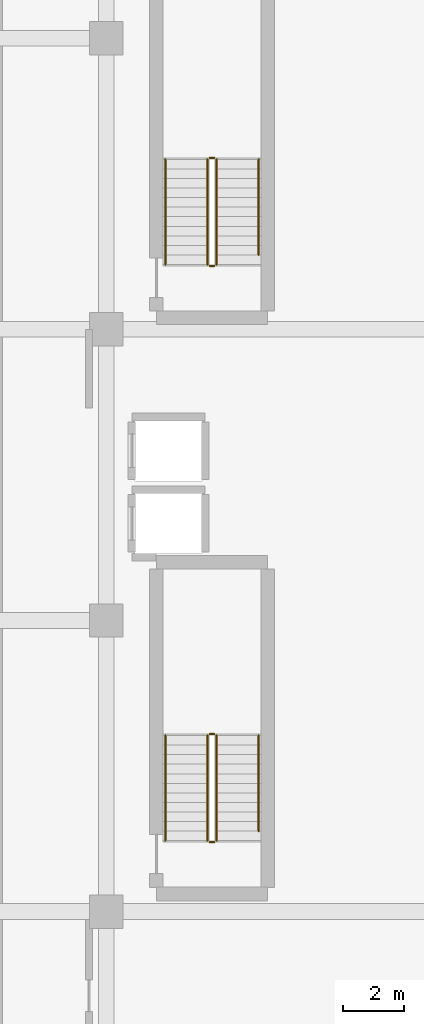
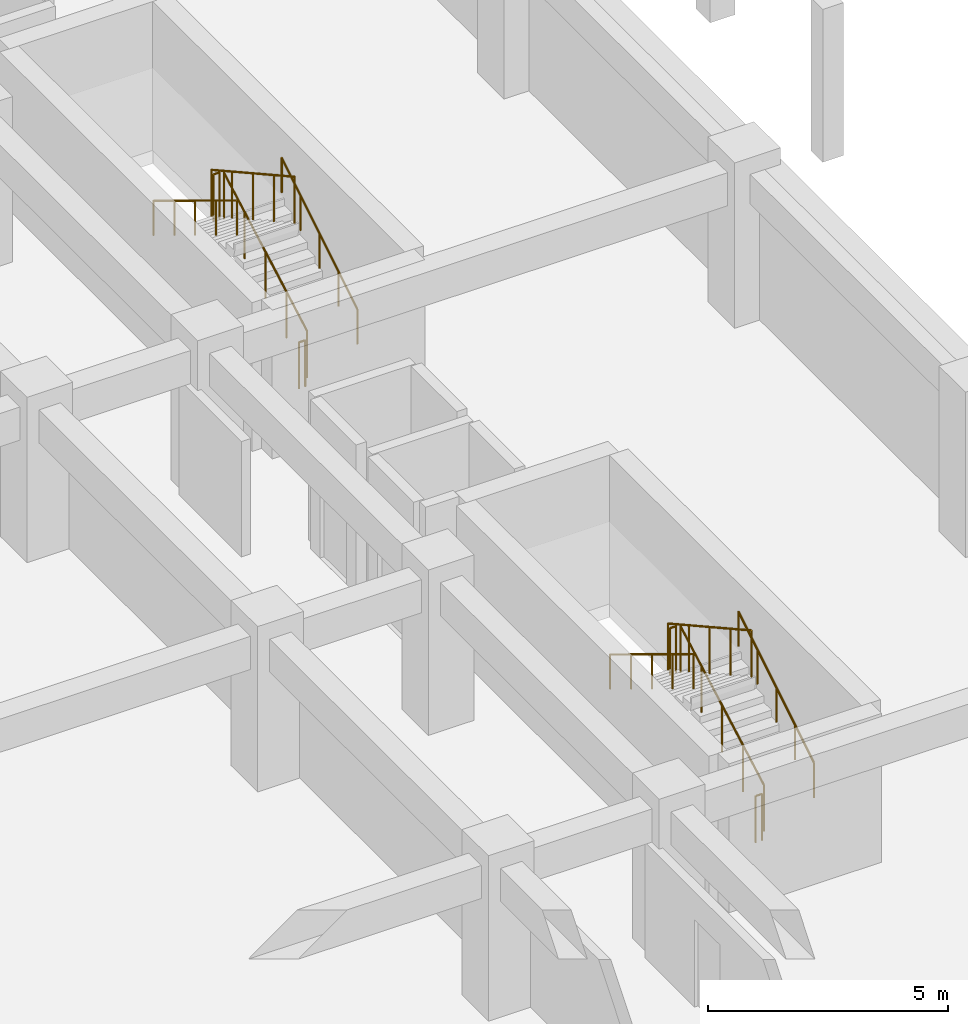
# One storey, part 36 of 39: 12 railings.
"""IFC4 building model written with IfcOpenShell, lengths in metres."""

from ifc_helpers import new_model, si_unit, direction, frame, origin, origin_2d, place, context, subcontext, project, spatial, circle, extrude, material, type_object, element, save


model = new_model("IFC4")

# Units and contexts
model_context = context("Model", 3, precision=1e-05, world=origin(), true_north=direction((0.0, 1.0)))
body_context = subcontext(model_context, "Body", "Model", "MODEL_VIEW")
ifc_project = project(units=[si_unit("LENGTHUNIT", "METRE"), si_unit("AREAUNIT", "SQUARE_METRE"), si_unit("VOLUMEUNIT", "CUBIC_METRE"), si_unit("PLANEANGLEUNIT", "RADIAN"), si_unit("MASSUNIT", "GRAM", prefix="KILO")], contexts=[model_context])

# Site, building, storey
site_placement = place(None, origin())
site = spatial("IfcSite", under=ifc_project, at=site_placement, CompositionType="ELEMENT")
building_placement = place(site_placement, origin())
building = spatial("IfcBuilding", under=site, at=building_placement, Name="Nakhvara Creek Congress Hotel", CompositionType="ELEMENT")
storey_placement = place(building_placement, frame((0.0, 0.0, -4.199951171875)))
storey = spatial("IfcBuildingStorey", under=building, at=storey_placement, Name="B1", CompositionType="ELEMENT", Elevation=-4.199951171875)

# Railings
ifc_material = material(Name="Brushed stainless steel 316L", Category="steel")
railing_type_1 = type_object("IfcRailingType", Name="RL-GUARD-1200", PredefinedType="GUARDRAIL", material=ifc_material)
railing_1_placement = place(storey_placement, frame((170.0849609375, 31.139892578125, 0.175048828125)))
element("IfcRailing", 1, at=railing_1_placement, inside=storey, type_object=railing_type_1, Name="B1 ST03 stair guard 1", PredefinedType="GUARDRAIL", context=body_context, shape_type="SweptSolid", body=[
    extrude(circle(Radius=0.02392578125, at=origin_2d()), frame((0.0, 0.012939453125, 1.18310546875), z_axis=(0.0, 0.874183422646, 0.48559586445), x_axis=(-1.0, 0.0, 0.0)), (0.0, 0.0, 1.0), 3.934326171875),
    extrude(circle(Radius=0.02099609375, at=origin_2d()), origin(), (0.0, 0.0, 1.0), 1.1806640625),
    extrude(circle(Radius=0.02099609375, at=origin_2d()), frame((0.0, 0.8662109375, 0.481201171875)), (0.0, 0.0, 1.0), 1.1806640625),
    extrude(circle(Radius=0.02099609375, at=origin_2d()), frame((0.0, 1.732421875, 0.96240234375)), (0.0, 0.0, 1.0), 1.1806640625),
    extrude(circle(Radius=0.02099609375, at=origin_2d()), frame((0.0, 2.598876953125, 1.443603515625)), (0.0, 0.0, 1.0), 1.1806640625),
    extrude(circle(Radius=0.02099609375, at=origin_2d()), frame((0.0, 3.465087890625, 1.9248046875)), (0.0, 0.0, 1.0), 1.1806640625),
])
railing_2_placement = place(storey_placement, frame((170.010009765625, 34.655029296875, 2.099853515625)))
element("IfcRailing", 2, at=railing_2_placement, inside=storey, type_object=railing_type_1, Name="B1 ST03 stair guard 2", PredefinedType="GUARDRAIL", context=body_context, shape_type="SweptSolid", body=[
    extrude(circle(Radius=0.02392578125, at=origin_2d()), frame((-0.0146484375, 0.0, 1.17578125), z_axis=(-1.0, 0.0, 0.0), x_axis=(0.0, -1.0, 0.0)), (0.0, 0.0, 1.0), 0.12060546875),
    extrude(circle(Radius=0.02099609375, at=origin_2d()), origin(), (0.0, 0.0, 1.0), 1.1806640625),
    extrude(circle(Radius=0.02099609375, at=origin_2d()), frame((-0.14990234375, 0.0, 0.0)), (0.0, 0.0, 1.0), 1.1806640625),
])
railing_3_placement = place(storey_placement, frame((169.784912109375, 34.60498046875, 2.27490234375)))
element("IfcRailing", 3, at=railing_3_placement, inside=storey, type_object=railing_type_1, Name="B1 ST03 stair guard 3", PredefinedType="GUARDRAIL", context=body_context, shape_type="SweptSolid", body=[
    extrude(circle(Radius=0.02392578125, at=origin_2d()), frame((0.0, -0.012939453125, 1.18310546875), z_axis=(0.0, -0.874157276122, 0.485642931179), x_axis=(1.0, 0.0, 0.0)), (0.0, 0.0, 1.0), 3.9345703125),
    extrude(circle(Radius=0.02099609375, at=origin_2d()), origin(), (0.0, 0.0, 1.0), 1.1806640625),
    extrude(circle(Radius=0.02099609375, at=origin_2d()), frame((0.0, -0.8662109375, 0.481201171875)), (0.0, 0.0, 1.0), 1.1806640625),
    extrude(circle(Radius=0.02099609375, at=origin_2d()), frame((0.0, -1.732421875, 0.96240234375)), (0.0, 0.0, 1.0), 1.1806640625),
    extrude(circle(Radius=0.02099609375, at=origin_2d()), frame((0.0, -2.598876953125, 1.44384765625)), (0.0, 0.0, 1.0), 1.1806640625),
    extrude(circle(Radius=0.02099609375, at=origin_2d()), frame((0.0, -3.465087890625, 1.925048828125)), (0.0, 0.0, 1.0), 1.1806640625),
])
railing_4_placement = place(storey_placement, frame((170.010009765625, 31.090087890625, 0.0)))
element("IfcRailing", 4, at=railing_4_placement, inside=storey, type_object=railing_type_1, Name="B1 ST03 stair guard 4", PredefinedType="GUARDRAIL", context=body_context, shape_type="SweptSolid", body=[
    extrude(circle(Radius=0.02392578125, at=origin_2d()), frame((-0.0146484375, 0.0, 1.17578125), z_axis=(-1.0, 0.0, 0.0), x_axis=(0.0, -1.0, 0.0)), (0.0, 0.0, 1.0), 0.12060546875),
    extrude(circle(Radius=0.02099609375, at=origin_2d()), origin(), (0.0, 0.0, 1.0), 1.1806640625),
    extrude(circle(Radius=0.02099609375, at=origin_2d()), frame((-0.14990234375, 0.0, 0.0)), (0.0, 0.0, 1.0), 1.1806640625),
])
railing_5_placement = place(storey_placement, frame((170.0849609375, 50.139892578125, 0.175048828125)))
element("IfcRailing", 5, at=railing_5_placement, inside=storey, type_object=railing_type_1, Name="B1 ST04 stair guard 1", PredefinedType="GUARDRAIL", context=body_context, shape_type="SweptSolid", body=[
    extrude(circle(Radius=0.02392578125, at=origin_2d()), frame((0.0, 0.012939453125, 1.18310546875), z_axis=(0.0, 0.874183422646, 0.48559586445), x_axis=(-1.0, 0.0, 0.0)), (0.0, 0.0, 1.0), 3.934326171875),
    extrude(circle(Radius=0.02099609375, at=origin_2d()), origin(), (0.0, 0.0, 1.0), 1.1806640625),
    extrude(circle(Radius=0.02099609375, at=origin_2d()), frame((0.0, 0.8662109375, 0.481201171875)), (0.0, 0.0, 1.0), 1.1806640625),
    extrude(circle(Radius=0.02099609375, at=origin_2d()), frame((0.0, 1.732421875, 0.96240234375)), (0.0, 0.0, 1.0), 1.1806640625),
    extrude(circle(Radius=0.02099609375, at=origin_2d()), frame((0.0, 2.598876953125, 1.443603515625)), (0.0, 0.0, 1.0), 1.1806640625),
    extrude(circle(Radius=0.02099609375, at=origin_2d()), frame((0.0, 3.465087890625, 1.9248046875)), (0.0, 0.0, 1.0), 1.1806640625),
])
railing_6_placement = place(storey_placement, frame((170.010009765625, 53.655029296875, 2.099853515625)))
element("IfcRailing", 6, at=railing_6_placement, inside=storey, type_object=railing_type_1, Name="B1 ST04 stair guard 2", PredefinedType="GUARDRAIL", context=body_context, shape_type="SweptSolid", body=[
    extrude(circle(Radius=0.02392578125, at=origin_2d()), frame((-0.0146484375, 0.0, 1.17578125), z_axis=(-1.0, 0.0, 0.0), x_axis=(0.0, -1.0, 0.0)), (0.0, 0.0, 1.0), 0.12060546875),
    extrude(circle(Radius=0.02099609375, at=origin_2d()), origin(), (0.0, 0.0, 1.0), 1.1806640625),
    extrude(circle(Radius=0.02099609375, at=origin_2d()), frame((-0.14990234375, 0.0, 0.0)), (0.0, 0.0, 1.0), 1.1806640625),
])
railing_7_placement = place(storey_placement, frame((169.784912109375, 53.60498046875, 2.27490234375)))
element("IfcRailing", 7, at=railing_7_placement, inside=storey, type_object=railing_type_1, Name="B1 ST04 stair guard 3", PredefinedType="GUARDRAIL", context=body_context, shape_type="SweptSolid", body=[
    extrude(circle(Radius=0.02392578125, at=origin_2d()), frame((0.0, -0.012939453125, 1.18310546875), z_axis=(0.0, -0.874157276122, 0.485642931179), x_axis=(1.0, 0.0, 0.0)), (0.0, 0.0, 1.0), 3.9345703125),
    extrude(circle(Radius=0.02099609375, at=origin_2d()), origin(), (0.0, 0.0, 1.0), 1.1806640625),
    extrude(circle(Radius=0.02099609375, at=origin_2d()), frame((0.0, -0.8662109375, 0.481201171875)), (0.0, 0.0, 1.0), 1.1806640625),
    extrude(circle(Radius=0.02099609375, at=origin_2d()), frame((0.0, -1.732421875, 0.96240234375)), (0.0, 0.0, 1.0), 1.1806640625),
    extrude(circle(Radius=0.02099609375, at=origin_2d()), frame((0.0, -2.598876953125, 1.44384765625)), (0.0, 0.0, 1.0), 1.1806640625),
    extrude(circle(Radius=0.02099609375, at=origin_2d()), frame((0.0, -3.465087890625, 1.925048828125)), (0.0, 0.0, 1.0), 1.1806640625),
])
railing_8_placement = place(storey_placement, frame((170.010009765625, 50.090087890625, 0.0)))
element("IfcRailing", 8, at=railing_8_placement, inside=storey, type_object=railing_type_1, Name="B1 ST04 stair guard 4", PredefinedType="GUARDRAIL", context=body_context, shape_type="SweptSolid", body=[
    extrude(circle(Radius=0.02392578125, at=origin_2d()), frame((-0.0146484375, 0.0, 1.17578125), z_axis=(-1.0, 0.0, 0.0), x_axis=(0.0, -1.0, 0.0)), (0.0, 0.0, 1.0), 0.12060546875),
    extrude(circle(Radius=0.02099609375, at=origin_2d()), origin(), (0.0, 0.0, 1.0), 1.1806640625),
    extrude(circle(Radius=0.02099609375, at=origin_2d()), frame((-0.14990234375, 0.0, 0.0)), (0.0, 0.0, 1.0), 1.1806640625),
])
railing_type_2 = type_object("IfcRailingType", Name="RL-HAND-900", PredefinedType="HANDRAIL", material=ifc_material)
railing_9_placement = place(storey_placement, frame((171.47509765625, 31.455078125, 0.349853515625)))
element("IfcRailing", 9, at=railing_9_placement, inside=storey, type_object=railing_type_2, Name="B1 ST03 stair handrail 1", PredefinedType="HANDRAIL", context=body_context, shape_type="SweptSolid", body=[
    extrude(circle(Radius=0.02392578125, at=origin_2d()), frame((0.0, 0.012451171875, 0.883544921875), z_axis=(0.0, 0.85194385619, 0.523633140567), x_axis=(-1.0, 0.0, 0.0)), (0.0, 0.0, 1.0), 3.66796875),
    extrude(circle(Radius=0.02099609375, at=origin_2d()), origin(), (0.0, 0.0, 1.0), 0.880615234375),
    extrude(circle(Radius=0.02099609375, at=origin_2d()), frame((0.0, 0.78759765625, 0.48388671875)), (0.0, 0.0, 1.0), 0.880615234375),
    extrude(circle(Radius=0.02099609375, at=origin_2d()), frame((0.0, 1.574951171875, 0.968017578125)), (0.0, 0.0, 1.0), 0.880615234375),
    extrude(circle(Radius=0.02099609375, at=origin_2d()), frame((0.0, 2.3623046875, 1.4521484375)), (0.0, 0.0, 1.0), 0.880615234375),
    extrude(circle(Radius=0.02099609375, at=origin_2d()), frame((0.0, 3.14990234375, 1.93603515625)), (0.0, 0.0, 1.0), 0.880615234375),
])
railing_10_placement = place(storey_placement, frame((168.39501953125, 34.60498046875, 2.27490234375)))
element("IfcRailing", 10, at=railing_10_placement, inside=storey, type_object=railing_type_2, Name="B1 ST03 stair handrail 2", PredefinedType="HANDRAIL", context=body_context, shape_type="SweptSolid", body=[
    extrude(circle(Radius=0.02392578125, at=origin_2d()), frame((0.0, -0.012451171875, 0.883544921875), z_axis=(0.0, -0.853990507121, 0.520288586985), x_axis=(1.0, 0.0, 0.0)), (0.0, 0.0, 1.0), 4.028076171875),
    extrude(circle(Radius=0.02099609375, at=origin_2d()), origin(), (0.0, 0.0, 1.0), 0.880615234375),
    extrude(circle(Radius=0.02099609375, at=origin_2d()), frame((0.0, -0.8662109375, 0.52783203125)), (0.0, 0.0, 1.0), 0.880615234375),
    extrude(circle(Radius=0.02099609375, at=origin_2d()), frame((0.0, -1.732421875, 1.0556640625)), (0.0, 0.0, 1.0), 0.880615234375),
    extrude(circle(Radius=0.02099609375, at=origin_2d()), frame((0.0, -2.598876953125, 1.583251953125)), (0.0, 0.0, 1.0), 0.880615234375),
    extrude(circle(Radius=0.02099609375, at=origin_2d()), frame((0.0, -3.465087890625, 2.111083984375)), (0.0, 0.0, 1.0), 0.880615234375),
])
railing_11_placement = place(storey_placement, frame((171.47509765625, 50.455078125, 0.349853515625)))
element("IfcRailing", 11, at=railing_11_placement, inside=storey, type_object=railing_type_2, Name="B1 ST04 stair handrail 1", PredefinedType="HANDRAIL", context=body_context, shape_type="SweptSolid", body=[
    extrude(circle(Radius=0.02392578125, at=origin_2d()), frame((0.0, 0.012451171875, 0.883544921875), z_axis=(0.0, 0.85194385619, 0.523633140567), x_axis=(-1.0, 0.0, 0.0)), (0.0, 0.0, 1.0), 3.66796875),
    extrude(circle(Radius=0.02099609375, at=origin_2d()), origin(), (0.0, 0.0, 1.0), 0.880615234375),
    extrude(circle(Radius=0.02099609375, at=origin_2d()), frame((0.0, 0.78759765625, 0.48388671875)), (0.0, 0.0, 1.0), 0.880615234375),
    extrude(circle(Radius=0.02099609375, at=origin_2d()), frame((0.0, 1.574951171875, 0.968017578125)), (0.0, 0.0, 1.0), 0.880615234375),
    extrude(circle(Radius=0.02099609375, at=origin_2d()), frame((0.0, 2.3623046875, 1.4521484375)), (0.0, 0.0, 1.0), 0.880615234375),
    extrude(circle(Radius=0.02099609375, at=origin_2d()), frame((0.0, 3.14990234375, 1.93603515625)), (0.0, 0.0, 1.0), 0.880615234375),
])
railing_12_placement = place(storey_placement, frame((168.39501953125, 53.60498046875, 2.27490234375)))
element("IfcRailing", 12, at=railing_12_placement, inside=storey, type_object=railing_type_2, Name="B1 ST04 stair handrail 2", PredefinedType="HANDRAIL", context=body_context, shape_type="SweptSolid", body=[
    extrude(circle(Radius=0.02392578125, at=origin_2d()), frame((0.0, -0.012451171875, 0.883544921875), z_axis=(0.0, -0.853990507121, 0.520288586985), x_axis=(1.0, 0.0, 0.0)), (0.0, 0.0, 1.0), 4.028076171875),
    extrude(circle(Radius=0.02099609375, at=origin_2d()), origin(), (0.0, 0.0, 1.0), 0.880615234375),
    extrude(circle(Radius=0.02099609375, at=origin_2d()), frame((0.0, -0.8662109375, 0.52783203125)), (0.0, 0.0, 1.0), 0.880615234375),
    extrude(circle(Radius=0.02099609375, at=origin_2d()), frame((0.0, -1.732421875, 1.0556640625)), (0.0, 0.0, 1.0), 0.880615234375),
    extrude(circle(Radius=0.02099609375, at=origin_2d()), frame((0.0, -2.598876953125, 1.583251953125)), (0.0, 0.0, 1.0), 0.880615234375),
    extrude(circle(Radius=0.02099609375, at=origin_2d()), frame((0.0, -3.465087890625, 2.111083984375)), (0.0, 0.0, 1.0), 0.880615234375),
])

save(model, "model.ifc")
